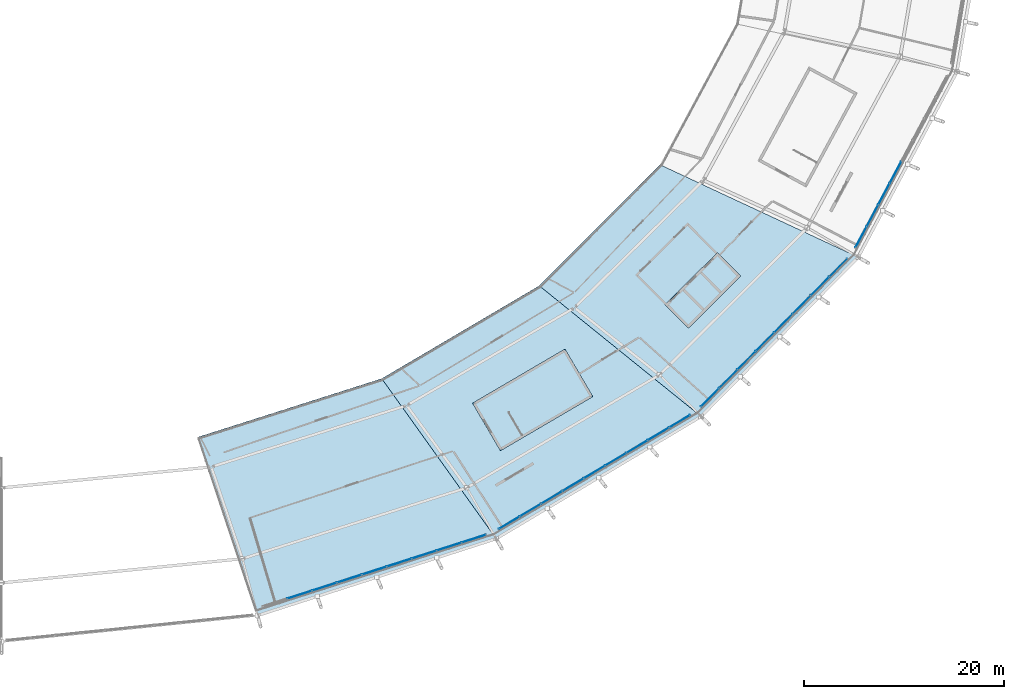
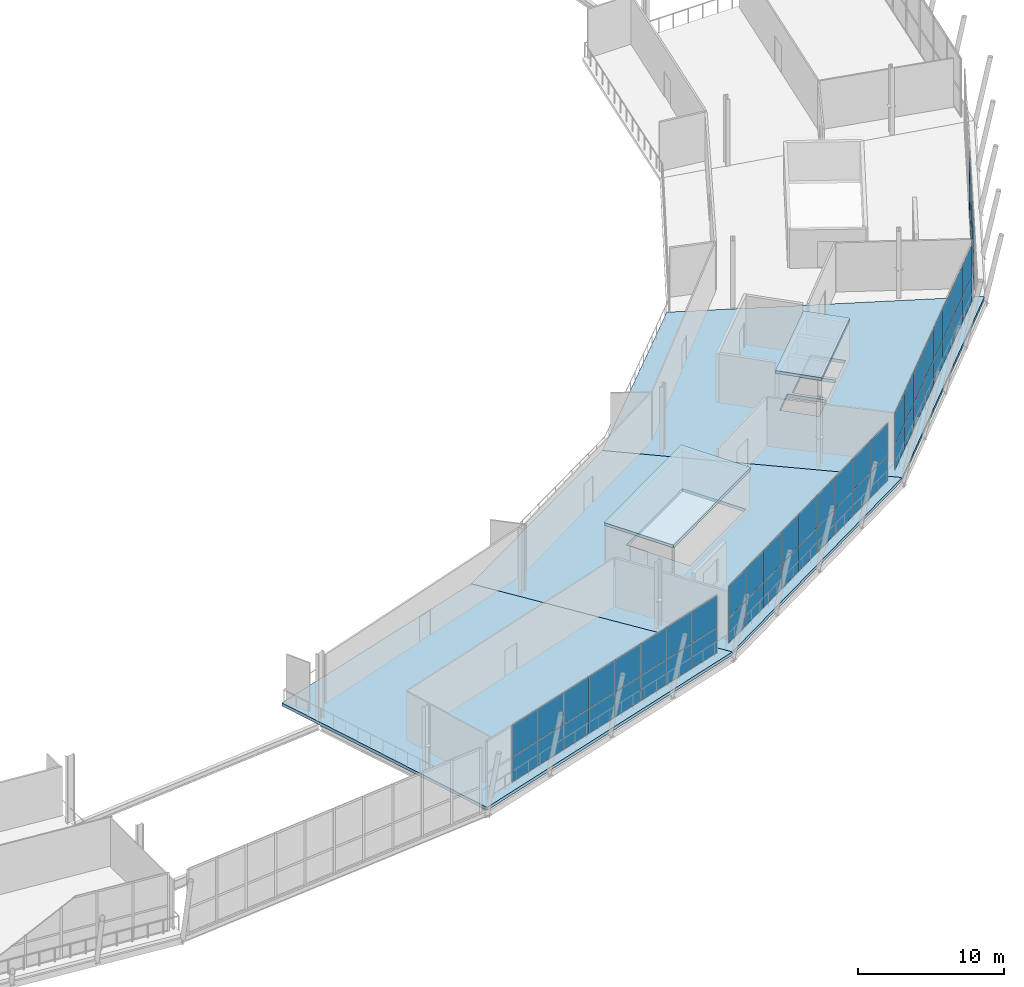
# One storey, part 57 of 99: 58 plates, 5 slabs, 4 elements without a shape of their own.
"""IFC4 building model written with IfcOpenShell, lengths in metres."""

import ifcopenshell
import ifcopenshell.guid

model = None  # the IFC model being written
_history = None  # IfcOwnerHistory: only IFC2X3 demands one
_inside = {}  # id of a spatial element -> (the spatial element, [elements in it])
_under = {}  # id of a project, library or spatial element -> (it, [spatial elements below it])
_declared = {}  # id of a project -> (the project, [libraries it declares])
_typed = {}  # id of a type object -> (the type object, [elements of that type])
_made_of = {}  # id of a material, layer set ... -> (it, [elements and type objects made of it])


def new_model(schema):
    """Start an empty IFC model of exactly this schema.

    Asked for "IFC4X3", IfcOpenShell would pick the latest addendum, in which some entities
    have other attributes; the version numbers below select the first issue.
    IFC2X3 requires an IfcOwnerHistory on every rooted entity: one is made here for all.
    """
    global model, _history
    if schema == "IFC4X3":
        model = ifcopenshell.file(schema_version=(4, 3, 0, 0))
    else:
        model = ifcopenshell.file(schema=schema)
    _inside.clear()
    _under.clear()
    _declared.clear()
    _typed.clear()
    _made_of.clear()
    _history = None
    if model.schema == "IFC2X3":
        org = make("IfcOrganization", Name="unknown")
        user = make(
            "IfcPersonAndOrganization",
            ThePerson=make("IfcPerson", FamilyName="unknown"),
            TheOrganization=org,
        )
        app = make(
            "IfcApplication",
            ApplicationDeveloper=org,
            Version="unknown",
            ApplicationFullName="unknown",
            ApplicationIdentifier="unknown",
        )
        _history = make(
            "IfcOwnerHistory",
            OwningUser=user,
            OwningApplication=app,
            ChangeAction="ADDED",
            CreationDate=0,
        )
    return model


def make(cls, **values):
    """One entity of the class cls with the attributes given. An attribute that is None is left unset."""
    return model.create_entity(
        cls, **{name: value for name, value in values.items() if value is not None}
    )


def rooted(cls, **values):
    """An entity with a GlobalId (a new one), such as an element, a storey or a relation."""
    return make(cls, GlobalId=ifcopenshell.guid.new(), OwnerHistory=_history, **values)


def si_unit(unit_type, name, prefix=None):
    """IfcSIUnit, for example si_unit("LENGTHUNIT", "METRE", prefix="MILLI")."""
    return make("IfcSIUnit", UnitType=unit_type, Prefix=prefix, Name=name)


def assignment(units):
    """IfcUnitAssignment: the units of a project."""
    return None if units is None else make("IfcUnitAssignment", Units=units)


def point(xyz):
    """IfcCartesianPoint."""
    return None if xyz is None else make("IfcCartesianPoint", Coordinates=xyz)


def direction(xyz):
    """IfcDirection."""
    return None if xyz is None else make("IfcDirection", DirectionRatios=xyz)


def frame(location, z_axis=None, x_axis=None):
    """IfcAxis2Placement3D, a coordinate frame: its origin and axes. An axis left out is left unset."""
    return make(
        "IfcAxis2Placement3D",
        Location=point(location),
        Axis=direction(z_axis),
        RefDirection=direction(x_axis),
    )


def frame_2d(location, x_axis=None):
    """IfcAxis2Placement2D, a coordinate frame in the plane: its origin and x axis."""
    return make(
        "IfcAxis2Placement2D", Location=point(location), RefDirection=direction(x_axis)
    )


def origin():
    """The frame at (0, 0, 0) with its axes left unset."""
    return frame((0.0, 0.0, 0.0))


def origin_2d():
    """The frame at (0, 0) in the plane with its x axis left unset."""
    return frame_2d((0.0, 0.0))


def place(relative_to, where):
    """IfcLocalPlacement: puts the frame where relative to a parent placement (None: the world)."""
    return make(
        "IfcLocalPlacement", PlacementRelTo=relative_to, RelativePlacement=where
    )


def context(
    kind, dimensions, precision=None, world=None, true_north=None, identifier=None
):
    """IfcGeometricRepresentationContext, for example the 3D "Model" context."""
    return make(
        "IfcGeometricRepresentationContext",
        ContextIdentifier=identifier,
        ContextType=kind,
        CoordinateSpaceDimension=dimensions,
        Precision=precision,
        WorldCoordinateSystem=world,
        TrueNorth=true_north,
    )


def subcontext(parent, identifier, kind, view, scale=None):
    """IfcGeometricRepresentationSubContext, for example "Body" below "Model"."""
    return make(
        "IfcGeometricRepresentationSubContext",
        ContextIdentifier=identifier,
        ContextType=kind,
        ParentContext=parent,
        TargetScale=scale,
        TargetView=view,
    )


def project(units=None, contexts=None):
    """IfcProject with its units and contexts."""
    return rooted(
        "IfcProject",
        Name="project",
        RepresentationContexts=contexts,
        UnitsInContext=assignment(units),
    )


def spatial(cls, under=None, at=None, **own):
    """A site, building, storey or space (cls), placed at a placement, below another one or the project."""
    s = rooted(cls, ObjectPlacement=at, **own)
    if under is not None:
        _under.setdefault(under.id(), (under, []))[1].append(s)
    return s


def polyline(points):
    """IfcPolyline through the points."""
    return make("IfcPolyline", Points=[point(p) for p in points])


def profile(cls, at=None, kind="AREA", **sizes):
    """A parametric profile (cls). Its sizes go by their IFC names, for example OverallWidth=200.0."""
    return make(cls, ProfileType=kind, Position=at, **sizes)


def rectangle(**sizes):
    """IfcRectangleProfileDef."""
    return profile("IfcRectangleProfileDef", **sizes)


def outline(outer, holes=None, kind="AREA"):
    """IfcArbitraryClosedProfileDef: a profile drawn as a closed curve; with holes, ...WithVoids."""
    if holes is None:
        return make("IfcArbitraryClosedProfileDef", ProfileType=kind, OuterCurve=outer)
    return make(
        "IfcArbitraryProfileDefWithVoids",
        ProfileType=kind,
        OuterCurve=outer,
        InnerCurves=holes,
    )


def extrude(swept, where, along, depth):
    """IfcExtrudedAreaSolid: the profile swept, set in the frame where, extruded along a direction by depth."""
    return make(
        "IfcExtrudedAreaSolid",
        SweptArea=swept,
        Position=where,
        ExtrudedDirection=direction(along),
        Depth=depth,
    )


def shape(context_of_items, identifier, shape_type, items):
    """IfcShapeRepresentation: the items that make up one representation, for example the "Body"."""
    return make(
        "IfcShapeRepresentation",
        ContextOfItems=context_of_items,
        RepresentationIdentifier=identifier,
        RepresentationType=shape_type,
        Items=items,
    )


def material(Name=None, Category=None):
    """IfcMaterial."""
    return make("IfcMaterial", Name=Name, Category=Category)


def layer(
    of_material, thickness, ventilated=None, Name=None, Category=None, Priority=None
):
    """IfcMaterialLayer: one layer of a wall or slab, of a material (None: an air gap)."""
    return make(
        "IfcMaterialLayer",
        Material=of_material,
        LayerThickness=thickness,
        IsVentilated=ventilated,
        Name=Name,
        Category=Category,
        Priority=Priority,
    )


def layer_set(layers, Name=None):
    """IfcMaterialLayerSet."""
    return make("IfcMaterialLayerSet", MaterialLayers=layers, LayerSetName=Name)


def made_of(thing, what):
    """Note that an element or type object is made of a material, layer set ...; save() writes the relation."""
    if what is not None:
        _made_of.setdefault(what.id(), (what, []))[1].append(thing)
    return thing


def type_object(cls, material=None, **own):
    """A type object (cls), such as IfcWallType, which elements share."""
    return made_of(rooted(cls, **own), material)


def element(
    cls,
    number,
    at=None,
    inside=None,
    cuts=None,
    type_object=None,
    material=None,
    context=None,
    identifier="Body",
    shape_type=None,
    held_by="IfcProductDefinitionShape",
    body=None,
    shapes=None,
    **own,
):
    """One element of the class cls, such as IfcWall. Its Tag is "e" and its number.

    at: its placement. inside: the storey or other place that contains it. cuts: it is an
    opening in that element (IfcRelVoidsElement). A single representation is given by context,
    identifier, shape_type and body (its items); several are given by shapes. held_by: the class
    of the entity that holds the representations. save() writes the other relations.
    """
    e = rooted(cls, Tag="e%d" % number, ObjectPlacement=at, **own)
    if body is not None:
        shapes = [shape(context, identifier, shape_type, body)]
    if shapes is not None:
        e.Representation = make(held_by, Representations=shapes)
    if inside is not None:
        _inside.setdefault(inside.id(), (inside, []))[1].append(e)
    if cuts is not None:
        rooted(
            "IfcRelVoidsElement", RelatingBuildingElement=cuts, RelatedOpeningElement=e
        )
    if type_object is not None:
        _typed.setdefault(type_object.id(), (type_object, []))[1].append(e)
    return made_of(e, material)


def aggregate(whole, parts):
    """IfcRelAggregates: a whole, such as a stair, and the parts it consists of."""
    return rooted("IfcRelAggregates", RelatingObject=whole, RelatedObjects=parts)


def save(model, path):
    """Write the relations noted so far, then the file.

    IfcRelAggregates (storeys below a building ...), IfcRelContainedInSpatialStructure (elements
    in a storey), IfcRelDefinesByType, IfcRelAssociatesMaterial and IfcRelDeclares: one each for
    every whole, place, type object, material and project.
    """
    for whole, parts in _under.values():
        aggregate(whole, parts)
    for where, things in _inside.values():
        rooted(
            "IfcRelContainedInSpatialStructure",
            RelatedElements=things,
            RelatingStructure=where,
        )
    for kind, things in _typed.values():
        rooted("IfcRelDefinesByType", RelatedObjects=things, RelatingType=kind)
    for what, things in _made_of.values():
        rooted("IfcRelAssociatesMaterial", RelatedObjects=things, RelatingMaterial=what)
    for by, libraries in _declared.values():
        rooted("IfcRelDeclares", RelatingContext=by, RelatedDefinitions=libraries)
    model.write(path)


model = new_model("IFC4")

# Units and contexts
model_context = context("Model", 3, precision=1e-05, world=origin(), true_north=direction((0.0, 1.0)))
body_context = subcontext(model_context, "Body", "Model", "MODEL_VIEW")
ifc_project = project(units=[si_unit("LENGTHUNIT", "METRE"), si_unit("AREAUNIT", "SQUARE_METRE"), si_unit("VOLUMEUNIT", "CUBIC_METRE"), si_unit("PLANEANGLEUNIT", "RADIAN"), si_unit("MASSUNIT", "GRAM", prefix="KILO")], contexts=[model_context])

# Site, building, storey
site_placement = place(None, origin())
site = spatial("IfcSite", under=ifc_project, at=site_placement, CompositionType="ELEMENT")
building_placement = place(site_placement, origin())
building = spatial("IfcBuilding", under=site, at=building_placement, Name="Zlatoyarsky Gate Stadium", CompositionType="ELEMENT")
storey_placement = place(building_placement, frame((0.0, 0.0, 26.199951171875)))
storey = spatial("IfcBuildingStorey", under=building, at=storey_placement, Name="L05", CompositionType="ELEMENT", Elevation=26.199951171875)

# Slabs
ifc_material_1 = material(Name="Concrete C40/50", Category="concrete")
ifc_layer_1 = layer(ifc_material_1, 0.239990234375)
ifc_layer_set_1 = layer_set([ifc_layer_1], Name="Concrete C40/50")
slab_type_1 = type_object("IfcSlabType", Name="CONCRETE CORE TOP CAP SLAB 240", PredefinedType="ROOF", material=ifc_layer_set_1)
slab_1_placement = place(storey_placement, frame((0.0, 0.0, 3.199951171875)))
element("IfcSlab", 1, at=slab_1_placement, inside=storey, type_object=slab_type_1, Name="ST-11 stair headhouse roof cap", PredefinedType="ROOF", context=body_context, shape_type="SweptSolid", body=[
    extrude(outline(polyline([(160.8623046875, 22.215087890625), (170.0947265625, 27.62353515625), (167.314697265625, 32.369140625), (158.082275390625, 26.960693359375), (160.8623046875, 22.215087890625)])), origin(), (0.0, 0.0, 1.0), 0.239990234375),
])
slab_2_placement = place(storey_placement, frame((0.0, 0.0, 3.199951171875)))
element("IfcSlab", 2, at=slab_2_placement, inside=storey, type_object=slab_type_1, Name="C4 lift overrun top cap slab", PredefinedType="ROOF", context=body_context, shape_type="SweptSolid", body=[
    extrude(outline(polyline([(179.642333984375, 34.460693359375), (184.88818359375, 39.679931640625), (182.560791015625, 42.019287109375), (177.314697265625, 36.800048828125), (179.642333984375, 34.460693359375)])), origin(), (0.0, 0.0, 1.0), 0.239990234375),
])
ifc_layer_2 = layer(ifc_material_1, 0.260009765625)
ifc_layer_set_2 = layer_set([ifc_layer_2], Name="Concrete C40/50")
slab_type_2 = type_object("IfcSlabType", Name="CONCRETE SKYBOX SLAB 260", PredefinedType="FLOOR", material=ifc_layer_set_2)
slab_3_placement = place(storey_placement, frame((0.0, 0.0, -0.260009765625)))
element("IfcSlab", 3, at=slab_3_placement, inside=storey, type_object=slab_type_2, Name="L05 bowl sector 19 slab", PredefinedType="FLOOR", context=body_context, shape_type="SweptSolid", body=[
    extrude(outline(polyline([(149.0, 29.424072265625), (160.439208984375, 13.421630859375), (136.591552734375, 5.741455078125), (130.670166015625, 23.58984375), (149.0, 29.424072265625)])), origin(), (0.0, 0.0, 1.0), 0.260009765625),
])
slab_4_placement = place(storey_placement, frame((0.0, 0.0, -0.260009765625)))
element("IfcSlab", 4, at=slab_4_placement, inside=storey, type_object=slab_type_2, Name="L05 bowl sector 20 slab", PredefinedType="FLOOR", context=body_context, shape_type="SweptSolid", body=[
    extrude(outline(polyline([(164.739990234375, 38.705078125), (180.91748046875, 25.638916015625), (160.439208984375, 13.421630859375), (149.0, 29.424072265625), (164.739990234375, 38.705078125)]), holes=[polyline([(169.752685546875, 27.712890625), (167.225341796875, 32.027099609375), (160.538330078125, 28.10986328125), (163.065673828125, 23.795654296875), (169.752685546875, 27.712890625)])]), origin(), (0.0, 0.0, 1.0), 0.260009765625),
])
slab_5_placement = place(storey_placement, frame((0.0, 0.0, -0.260009765625)))
element("IfcSlab", 5, at=slab_5_placement, inside=storey, type_object=slab_type_2, Name="L05 bowl sector 21 slab", PredefinedType="FLOOR", context=body_context, shape_type="SweptSolid", body=[
    extrude(outline(polyline([(176.81787109375, 50.800048828125), (196.630859375, 41.560791015625), (180.91748046875, 25.638916015625), (164.739990234375, 38.705078125), (176.81787109375, 50.800048828125)]), holes=[polyline([(181.06103515625, 36.224853515625), (179.086181640625, 38.209716796875), (177.668212890625, 36.799072265625), (179.643310546875, 34.814208984375), (181.06103515625, 36.224853515625)]), polyline([(182.7978515625, 37.952880859375), (181.034423828125, 39.72509765625), (179.47509765625, 38.17333984375), (181.23828125, 36.401123046875), (182.7978515625, 37.952880859375)]), polyline([(182.97509765625, 38.129150390625), (184.53466796875, 39.680908203125), (182.771240234375, 41.452880859375), (181.2119140625, 39.9013671875), (182.97509765625, 38.129150390625)])]), origin(), (0.0, 0.0, 1.0), 0.260009765625),
])

# Curtain wall, plates
ifc_material_2 = material(Name="Thermally broken anodised aluminium curtain wall", Category="aluminium")
curtain_wall_type = type_object("IfcCurtainWallType", Name="UNITISED SKYBOX RING GLAZING L05", PredefinedType="USERDEFINED", material=ifc_material_2)
curtain_wall_1_placement = place(storey_placement, origin())
curtain_wall_1 = element("IfcCurtainWall", 6, at=curtain_wall_1_placement, inside=storey, type_object=curtain_wall_type, Name="Curtain wall CW-L05-19", ObjectType="UNITISED GLAZING", PredefinedType="USERDEFINED")
ifc_material_3 = material(Name="Triple-glazed argon low-e architectural glass", Category="glass")
ifc_layer_3 = layer(ifc_material_3, 0.0380859375)
ifc_layer_set_3 = layer_set([ifc_layer_3], Name="Triple-glazed argon low-e architectural glass")
plate_type = type_object("IfcPlateType", Name="TRIPLE GLAZED LOW E CURTAIN PANEL 38", PredefinedType="CURTAIN_PANEL", material=ifc_layer_set_3)
plate_1_placement = place(storey_placement, frame((140.769287109375, 7.818603515625, 0.06494140625), z_axis=(0.0, 0.0, 1.0), x_axis=(0.952038580657, 0.305978007283, 0.0)))
plate_1 = element("IfcPlate", 7, at=plate_1_placement, type_object=plate_type, Name="CW-UG5 panel 2.1", PredefinedType="CURTAIN_PANEL", context=body_context, shape_type="SweptSolid", body=[
    extrude(rectangle(XDim=2.553955078125, YDim=0.0380859375, at=origin_2d()), origin(), (0.0, 0.0, 1.0), 2.052490234375),
])
plate_2_placement = place(storey_placement, frame((140.769287109375, 7.818603515625, 2.1826171875), z_axis=(0.0, 0.0, 1.0), x_axis=(0.952038580657, 0.305978007283, 0.0)))
plate_2 = element("IfcPlate", 8, at=plate_2_placement, type_object=plate_type, Name="CW-UG5 panel 2.2", PredefinedType="CURTAIN_PANEL", context=body_context, shape_type="SweptSolid", body=[
    extrude(rectangle(XDim=2.553955078125, YDim=0.0380859375, at=origin_2d()), origin(), (0.0, 0.0, 1.0), 2.632568359375),
])
plate_3_placement = place(storey_placement, frame((143.262939453125, 8.619873046875, 0.06494140625), z_axis=(0.0, 0.0, 1.0), x_axis=(0.952038580657, 0.305978007283, 0.0)))
plate_3 = element("IfcPlate", 9, at=plate_3_placement, type_object=plate_type, Name="CW-UG5 panel 3.1", PredefinedType="CURTAIN_PANEL", context=body_context, shape_type="SweptSolid", body=[
    extrude(rectangle(XDim=2.553955078125, YDim=0.0380859375, at=origin_2d()), origin(), (0.0, 0.0, 1.0), 2.052490234375),
])
plate_4_placement = place(storey_placement, frame((143.262939453125, 8.619873046875, 2.1826171875), z_axis=(0.0, 0.0, 1.0), x_axis=(0.952038580657, 0.305978007283, 0.0)))
plate_4 = element("IfcPlate", 10, at=plate_4_placement, type_object=plate_type, Name="CW-UG5 panel 3.2", PredefinedType="CURTAIN_PANEL", context=body_context, shape_type="SweptSolid", body=[
    extrude(rectangle(XDim=2.553955078125, YDim=0.0380859375, at=origin_2d()), origin(), (0.0, 0.0, 1.0), 2.632568359375),
])
plate_5_placement = place(storey_placement, frame((145.75634765625, 9.42138671875, 0.06494140625), z_axis=(0.0, 0.0, 1.0), x_axis=(0.952038580657, 0.305978007283, 0.0)))
plate_5 = element("IfcPlate", 11, at=plate_5_placement, type_object=plate_type, Name="CW-UG5 panel 4.1", PredefinedType="CURTAIN_PANEL", context=body_context, shape_type="SweptSolid", body=[
    extrude(rectangle(XDim=2.553955078125, YDim=0.0380859375, at=origin_2d()), origin(), (0.0, 0.0, 1.0), 2.052490234375),
])
plate_6_placement = place(storey_placement, frame((145.75634765625, 9.42138671875, 2.1826171875), z_axis=(0.0, 0.0, 1.0), x_axis=(0.952038580657, 0.305978007283, 0.0)))
plate_6 = element("IfcPlate", 12, at=plate_6_placement, type_object=plate_type, Name="CW-UG5 panel 4.2", PredefinedType="CURTAIN_PANEL", context=body_context, shape_type="SweptSolid", body=[
    extrude(rectangle(XDim=2.553955078125, YDim=0.0380859375, at=origin_2d()), origin(), (0.0, 0.0, 1.0), 2.632568359375),
])
plate_7_placement = place(storey_placement, frame((148.249755859375, 10.22265625, 0.06494140625), z_axis=(0.0, 0.0, 1.0), x_axis=(0.952038580657, 0.305978007283, 0.0)))
plate_7 = element("IfcPlate", 13, at=plate_7_placement, type_object=plate_type, Name="CW-UG5 panel 5.1", PredefinedType="CURTAIN_PANEL", context=body_context, shape_type="SweptSolid", body=[
    extrude(rectangle(XDim=2.553955078125, YDim=0.0380859375, at=origin_2d()), origin(), (0.0, 0.0, 1.0), 2.052490234375),
])
plate_8_placement = place(storey_placement, frame((148.249755859375, 10.22265625, 2.1826171875), z_axis=(0.0, 0.0, 1.0), x_axis=(0.952038580657, 0.305978007283, 0.0)))
plate_8 = element("IfcPlate", 14, at=plate_8_placement, type_object=plate_type, Name="CW-UG5 panel 5.2", PredefinedType="CURTAIN_PANEL", context=body_context, shape_type="SweptSolid", body=[
    extrude(rectangle(XDim=2.553955078125, YDim=0.0380859375, at=origin_2d()), origin(), (0.0, 0.0, 1.0), 2.632568359375),
])
plate_9_placement = place(storey_placement, frame((150.7431640625, 11.024169921875, 0.06494140625), z_axis=(0.0, 0.0, 1.0), x_axis=(0.952038580657, 0.305978007283, 0.0)))
plate_9 = element("IfcPlate", 15, at=plate_9_placement, type_object=plate_type, Name="CW-UG5 panel 6.1", PredefinedType="CURTAIN_PANEL", context=body_context, shape_type="SweptSolid", body=[
    extrude(rectangle(XDim=2.553955078125, YDim=0.0380859375, at=origin_2d()), origin(), (0.0, 0.0, 1.0), 2.052490234375),
])
plate_10_placement = place(storey_placement, frame((150.7431640625, 11.024169921875, 2.1826171875), z_axis=(0.0, 0.0, 1.0), x_axis=(0.952038580657, 0.305978007283, 0.0)))
plate_10 = element("IfcPlate", 16, at=plate_10_placement, type_object=plate_type, Name="CW-UG5 panel 6.2", PredefinedType="CURTAIN_PANEL", context=body_context, shape_type="SweptSolid", body=[
    extrude(rectangle(XDim=2.553955078125, YDim=0.0380859375, at=origin_2d()), origin(), (0.0, 0.0, 1.0), 2.632568359375),
])
plate_11_placement = place(storey_placement, frame((153.236572265625, 11.825439453125, 0.06494140625), z_axis=(0.0, 0.0, 1.0), x_axis=(0.952038580657, 0.305978007283, 0.0)))
plate_11 = element("IfcPlate", 17, at=plate_11_placement, type_object=plate_type, Name="CW-UG5 panel 7.1", PredefinedType="CURTAIN_PANEL", context=body_context, shape_type="SweptSolid", body=[
    extrude(rectangle(XDim=2.553955078125, YDim=0.0380859375, at=origin_2d()), origin(), (0.0, 0.0, 1.0), 2.052490234375),
])
plate_12_placement = place(storey_placement, frame((153.236572265625, 11.825439453125, 2.1826171875), z_axis=(0.0, 0.0, 1.0), x_axis=(0.952038580657, 0.305978007283, 0.0)))
plate_12 = element("IfcPlate", 18, at=plate_12_placement, type_object=plate_type, Name="CW-UG5 panel 7.2", PredefinedType="CURTAIN_PANEL", context=body_context, shape_type="SweptSolid", body=[
    extrude(rectangle(XDim=2.553955078125, YDim=0.0380859375, at=origin_2d()), origin(), (0.0, 0.0, 1.0), 2.632568359375),
])
plate_13_placement = place(storey_placement, frame((155.730224609375, 12.626953125, 0.06494140625), z_axis=(0.0, 0.0, 1.0), x_axis=(0.952038580657, 0.305978007283, 0.0)))
plate_13 = element("IfcPlate", 19, at=plate_13_placement, type_object=plate_type, Name="CW-UG5 panel 8.1", PredefinedType="CURTAIN_PANEL", context=body_context, shape_type="SweptSolid", body=[
    extrude(rectangle(XDim=2.553955078125, YDim=0.0380859375, at=origin_2d()), origin(), (0.0, 0.0, 1.0), 2.052490234375),
])
plate_14_placement = place(storey_placement, frame((155.730224609375, 12.626953125, 2.1826171875), z_axis=(0.0, 0.0, 1.0), x_axis=(0.952038580657, 0.305978007283, 0.0)))
plate_14 = element("IfcPlate", 20, at=plate_14_placement, type_object=plate_type, Name="CW-UG5 panel 8.2", PredefinedType="CURTAIN_PANEL", context=body_context, shape_type="SweptSolid", body=[
    extrude(rectangle(XDim=2.553955078125, YDim=0.0380859375, at=origin_2d()), origin(), (0.0, 0.0, 1.0), 2.632568359375),
])
plate_15_placement = place(storey_placement, frame((158.2080078125, 13.42333984375, 0.06494140625), z_axis=(0.0, 0.0, 1.0), x_axis=(0.952038580657, 0.305978007283, 0.0)))
plate_15 = element("IfcPlate", 21, at=plate_15_placement, type_object=plate_type, Name="CW-UG5 panel 9.1", PredefinedType="CURTAIN_PANEL", context=body_context, shape_type="SweptSolid", body=[
    extrude(rectangle(XDim=2.521484375, YDim=0.0380859375, at=origin_2d()), origin(), (0.0, 0.0, 1.0), 2.052490234375),
])
plate_16_placement = place(storey_placement, frame((158.2080078125, 13.42333984375, 2.1826171875), z_axis=(0.0, 0.0, 1.0), x_axis=(0.952038580657, 0.305978007283, 0.0)))
plate_16 = element("IfcPlate", 22, at=plate_16_placement, type_object=plate_type, Name="CW-UG5 panel 9.2", PredefinedType="CURTAIN_PANEL", context=body_context, shape_type="SweptSolid", body=[
    extrude(rectangle(XDim=2.521484375, YDim=0.0380859375, at=origin_2d()), origin(), (0.0, 0.0, 1.0), 2.632568359375),
])
aggregate(curtain_wall_1, [plate_1, plate_2, plate_3, plate_4, plate_5, plate_6, plate_7, plate_8, plate_9, plate_10, plate_11, plate_12, plate_13, plate_14, plate_15, plate_16])

curtain_wall_2_placement = place(storey_placement, origin())
curtain_wall_2 = element("IfcCurtainWall", 23, at=curtain_wall_2_placement, inside=storey, type_object=curtain_wall_type, Name="Curtain wall CW-L05-20", ObjectType="UNITISED GLAZING", PredefinedType="USERDEFINED")
plate_17_placement = place(storey_placement, frame((161.729248046875, 15.004150390625, 0.06494140625), z_axis=(0.0, 0.0, 1.0), x_axis=(0.859237337802, 0.511577166542, 0.0)))
plate_17 = element("IfcPlate", 24, at=plate_17_placement, type_object=plate_type, Name="CW-UG5 panel 1.1", PredefinedType="CURTAIN_PANEL", context=body_context, shape_type="SweptSolid", body=[
    extrude(rectangle(XDim=2.387451171875, YDim=0.0380859375, at=origin_2d()), origin(), (0.0, 0.0, 1.0), 2.052490234375),
])
plate_18_placement = place(storey_placement, frame((161.729248046875, 15.004150390625, 2.1826171875), z_axis=(0.0, 0.0, 1.0), x_axis=(0.859237337802, 0.511577166542, 0.0)))
plate_18 = element("IfcPlate", 25, at=plate_18_placement, type_object=plate_type, Name="CW-UG5 panel 1.2", PredefinedType="CURTAIN_PANEL", context=body_context, shape_type="SweptSolid", body=[
    extrude(rectangle(XDim=2.387451171875, YDim=0.0380859375, at=origin_2d()), origin(), (0.0, 0.0, 1.0), 2.632568359375),
])
plate_19_placement = place(storey_placement, frame((163.850341796875, 16.26708984375, 0.06494140625), z_axis=(0.0, 0.0, 1.0), x_axis=(0.859237337802, 0.511577166542, 0.0)))
plate_19 = element("IfcPlate", 26, at=plate_19_placement, type_object=plate_type, Name="CW-UG5 panel 2.1", PredefinedType="CURTAIN_PANEL", context=body_context, shape_type="SweptSolid", body=[
    extrude(rectangle(XDim=2.419921875, YDim=0.0380859375, at=origin_2d()), origin(), (0.0, 0.0, 1.0), 2.052490234375),
])
plate_20_placement = place(storey_placement, frame((163.850341796875, 16.26708984375, 2.1826171875), z_axis=(0.0, 0.0, 1.0), x_axis=(0.859237337802, 0.511577166542, 0.0)))
plate_20 = element("IfcPlate", 27, at=plate_20_placement, type_object=plate_type, Name="CW-UG5 panel 2.2", PredefinedType="CURTAIN_PANEL", context=body_context, shape_type="SweptSolid", body=[
    extrude(rectangle(XDim=2.419921875, YDim=0.0380859375, at=origin_2d()), origin(), (0.0, 0.0, 1.0), 2.632568359375),
])
plate_21_placement = place(storey_placement, frame((165.9853515625, 17.538330078125, 0.06494140625), z_axis=(0.0, 0.0, 1.0), x_axis=(0.859237337802, 0.511577166542, 0.0)))
plate_21 = element("IfcPlate", 28, at=plate_21_placement, type_object=plate_type, Name="CW-UG5 panel 3.1", PredefinedType="CURTAIN_PANEL", context=body_context, shape_type="SweptSolid", body=[
    extrude(rectangle(XDim=2.419921875, YDim=0.0380859375, at=origin_2d()), origin(), (0.0, 0.0, 1.0), 2.052490234375),
])
plate_22_placement = place(storey_placement, frame((165.9853515625, 17.538330078125, 2.1826171875), z_axis=(0.0, 0.0, 1.0), x_axis=(0.859237337802, 0.511577166542, 0.0)))
plate_22 = element("IfcPlate", 29, at=plate_22_placement, type_object=plate_type, Name="CW-UG5 panel 3.2", PredefinedType="CURTAIN_PANEL", context=body_context, shape_type="SweptSolid", body=[
    extrude(rectangle(XDim=2.419921875, YDim=0.0380859375, at=origin_2d()), origin(), (0.0, 0.0, 1.0), 2.632568359375),
])
plate_23_placement = place(storey_placement, frame((168.12060546875, 18.8095703125, 0.06494140625), z_axis=(0.0, 0.0, 1.0), x_axis=(0.859237337802, 0.511577166542, 0.0)))
plate_23 = element("IfcPlate", 30, at=plate_23_placement, type_object=plate_type, Name="CW-UG5 panel 4.1", PredefinedType="CURTAIN_PANEL", context=body_context, shape_type="SweptSolid", body=[
    extrude(rectangle(XDim=2.419921875, YDim=0.0380859375, at=origin_2d()), origin(), (0.0, 0.0, 1.0), 2.052490234375),
])
plate_24_placement = place(storey_placement, frame((168.12060546875, 18.8095703125, 2.1826171875), z_axis=(0.0, 0.0, 1.0), x_axis=(0.859237337802, 0.511577166542, 0.0)))
plate_24 = element("IfcPlate", 31, at=plate_24_placement, type_object=plate_type, Name="CW-UG5 panel 4.2", PredefinedType="CURTAIN_PANEL", context=body_context, shape_type="SweptSolid", body=[
    extrude(rectangle(XDim=2.419921875, YDim=0.0380859375, at=origin_2d()), origin(), (0.0, 0.0, 1.0), 2.632568359375),
])
plate_25_placement = place(storey_placement, frame((170.255859375, 20.080810546875, 0.06494140625), z_axis=(0.0, 0.0, 1.0), x_axis=(0.859237337802, 0.511577166542, 0.0)))
plate_25 = element("IfcPlate", 32, at=plate_25_placement, type_object=plate_type, Name="CW-UG5 panel 5.1", PredefinedType="CURTAIN_PANEL", context=body_context, shape_type="SweptSolid", body=[
    extrude(rectangle(XDim=2.419921875, YDim=0.0380859375, at=origin_2d()), origin(), (0.0, 0.0, 1.0), 2.052490234375),
])
plate_26_placement = place(storey_placement, frame((170.255859375, 20.080810546875, 2.1826171875), z_axis=(0.0, 0.0, 1.0), x_axis=(0.859237337802, 0.511577166542, 0.0)))
plate_26 = element("IfcPlate", 33, at=plate_26_placement, type_object=plate_type, Name="CW-UG5 panel 5.2", PredefinedType="CURTAIN_PANEL", context=body_context, shape_type="SweptSolid", body=[
    extrude(rectangle(XDim=2.419921875, YDim=0.0380859375, at=origin_2d()), origin(), (0.0, 0.0, 1.0), 2.632568359375),
])
plate_27_placement = place(storey_placement, frame((172.390869140625, 21.35205078125, 0.06494140625), z_axis=(0.0, 0.0, 1.0), x_axis=(0.859237337802, 0.511577166542, 0.0)))
plate_27 = element("IfcPlate", 34, at=plate_27_placement, type_object=plate_type, Name="CW-UG5 panel 6.1", PredefinedType="CURTAIN_PANEL", context=body_context, shape_type="SweptSolid", body=[
    extrude(rectangle(XDim=2.419921875, YDim=0.0380859375, at=origin_2d()), origin(), (0.0, 0.0, 1.0), 2.052490234375),
])
plate_28_placement = place(storey_placement, frame((172.390869140625, 21.35205078125, 2.1826171875), z_axis=(0.0, 0.0, 1.0), x_axis=(0.859237337802, 0.511577166542, 0.0)))
plate_28 = element("IfcPlate", 35, at=plate_28_placement, type_object=plate_type, Name="CW-UG5 panel 6.2", PredefinedType="CURTAIN_PANEL", context=body_context, shape_type="SweptSolid", body=[
    extrude(rectangle(XDim=2.419921875, YDim=0.0380859375, at=origin_2d()), origin(), (0.0, 0.0, 1.0), 2.632568359375),
])
plate_29_placement = place(storey_placement, frame((174.526123046875, 22.623291015625, 0.06494140625), z_axis=(0.0, 0.0, 1.0), x_axis=(0.859237337802, 0.511577166542, 0.0)))
plate_29 = element("IfcPlate", 36, at=plate_29_placement, type_object=plate_type, Name="CW-UG5 panel 7.1", PredefinedType="CURTAIN_PANEL", context=body_context, shape_type="SweptSolid", body=[
    extrude(rectangle(XDim=2.419921875, YDim=0.0380859375, at=origin_2d()), origin(), (0.0, 0.0, 1.0), 2.052490234375),
])
plate_30_placement = place(storey_placement, frame((174.526123046875, 22.623291015625, 2.1826171875), z_axis=(0.0, 0.0, 1.0), x_axis=(0.859237337802, 0.511577166542, 0.0)))
plate_30 = element("IfcPlate", 37, at=plate_30_placement, type_object=plate_type, Name="CW-UG5 panel 7.2", PredefinedType="CURTAIN_PANEL", context=body_context, shape_type="SweptSolid", body=[
    extrude(rectangle(XDim=2.419921875, YDim=0.0380859375, at=origin_2d()), origin(), (0.0, 0.0, 1.0), 2.632568359375),
])
plate_31_placement = place(storey_placement, frame((176.6611328125, 23.89453125, 0.06494140625), z_axis=(0.0, 0.0, 1.0), x_axis=(0.859237337802, 0.511577166542, 0.0)))
plate_31 = element("IfcPlate", 38, at=plate_31_placement, type_object=plate_type, Name="CW-UG5 panel 8.1", PredefinedType="CURTAIN_PANEL", context=body_context, shape_type="SweptSolid", body=[
    extrude(rectangle(XDim=2.419921875, YDim=0.0380859375, at=origin_2d()), origin(), (0.0, 0.0, 1.0), 2.052490234375),
])
plate_32_placement = place(storey_placement, frame((176.6611328125, 23.89453125, 2.1826171875), z_axis=(0.0, 0.0, 1.0), x_axis=(0.859237337802, 0.511577166542, 0.0)))
plate_32 = element("IfcPlate", 39, at=plate_32_placement, type_object=plate_type, Name="CW-UG5 panel 8.2", PredefinedType="CURTAIN_PANEL", context=body_context, shape_type="SweptSolid", body=[
    extrude(rectangle(XDim=2.419921875, YDim=0.0380859375, at=origin_2d()), origin(), (0.0, 0.0, 1.0), 2.632568359375),
])
plate_33_placement = place(storey_placement, frame((178.782470703125, 25.157470703125, 0.06494140625), z_axis=(0.0, 0.0, 1.0), x_axis=(0.859237337802, 0.511577166542, 0.0)))
plate_33 = element("IfcPlate", 40, at=plate_33_placement, type_object=plate_type, Name="CW-UG5 panel 9.1", PredefinedType="CURTAIN_PANEL", context=body_context, shape_type="SweptSolid", body=[
    extrude(rectangle(XDim=2.387451171875, YDim=0.0380859375, at=origin_2d()), origin(), (0.0, 0.0, 1.0), 2.052490234375),
])
plate_34_placement = place(storey_placement, frame((178.782470703125, 25.157470703125, 2.1826171875), z_axis=(0.0, 0.0, 1.0), x_axis=(0.859237337802, 0.511577166542, 0.0)))
plate_34 = element("IfcPlate", 41, at=plate_34_placement, type_object=plate_type, Name="CW-UG5 panel 9.2", PredefinedType="CURTAIN_PANEL", context=body_context, shape_type="SweptSolid", body=[
    extrude(rectangle(XDim=2.387451171875, YDim=0.0380859375, at=origin_2d()), origin(), (0.0, 0.0, 1.0), 2.632568359375),
])
aggregate(curtain_wall_2, [plate_17, plate_18, plate_19, plate_20, plate_21, plate_22, plate_23, plate_24, plate_25, plate_26, plate_27, plate_28, plate_29, plate_30, plate_31, plate_32, plate_33, plate_34])

curtain_wall_3_placement = place(storey_placement, origin())
curtain_wall_3 = element("IfcCurtainWall", 42, at=curtain_wall_3_placement, inside=storey, type_object=curtain_wall_type, Name="Curtain wall CW-L05-21", ObjectType="UNITISED GLAZING", PredefinedType="USERDEFINED")
plate_35_placement = place(storey_placement, frame((181.808837890625, 27.535888671875, 0.06494140625), z_axis=(0.0, 0.0, 1.0), x_axis=(0.703158292451, 0.711033343632, 0.0)))
plate_35 = element("IfcPlate", 43, at=plate_35_placement, type_object=plate_type, Name="CW-UG5 panel 1.1", PredefinedType="CURTAIN_PANEL", context=body_context, shape_type="SweptSolid", body=[
    extrude(rectangle(XDim=2.513671875, YDim=0.0380859375, at=origin_2d()), origin(), (0.0, 0.0, 1.0), 2.052490234375),
])
plate_36_placement = place(storey_placement, frame((181.808837890625, 27.535888671875, 2.1826171875), z_axis=(0.0, 0.0, 1.0), x_axis=(0.703158292451, 0.711033343632, 0.0)))
plate_36 = element("IfcPlate", 44, at=plate_36_placement, type_object=plate_type, Name="CW-UG5 panel 1.2", PredefinedType="CURTAIN_PANEL", context=body_context, shape_type="SweptSolid", body=[
    extrude(rectangle(XDim=2.513671875, YDim=0.0380859375, at=origin_2d()), origin(), (0.0, 0.0, 1.0), 2.632568359375),
])
plate_37_placement = place(storey_placement, frame((183.633544921875, 29.380859375, 0.06494140625), z_axis=(0.0, 0.0, 1.0), x_axis=(0.703158292451, 0.711033343632, 0.0)))
plate_37 = element("IfcPlate", 45, at=plate_37_placement, type_object=plate_type, Name="CW-UG5 panel 2.1", PredefinedType="CURTAIN_PANEL", context=body_context, shape_type="SweptSolid", body=[
    extrude(rectangle(XDim=2.546142578125, YDim=0.0380859375, at=origin_2d()), origin(), (0.0, 0.0, 1.0), 2.052490234375),
])
plate_38_placement = place(storey_placement, frame((183.633544921875, 29.380859375, 2.1826171875), z_axis=(0.0, 0.0, 1.0), x_axis=(0.703158292451, 0.711033343632, 0.0)))
plate_38 = element("IfcPlate", 46, at=plate_38_placement, type_object=plate_type, Name="CW-UG5 panel 2.2", PredefinedType="CURTAIN_PANEL", context=body_context, shape_type="SweptSolid", body=[
    extrude(rectangle(XDim=2.546142578125, YDim=0.0380859375, at=origin_2d()), origin(), (0.0, 0.0, 1.0), 2.632568359375),
])
plate_39_placement = place(storey_placement, frame((185.469482421875, 31.237548828125, 0.06494140625), z_axis=(0.0, 0.0, 1.0), x_axis=(0.703158292451, 0.711033343632, 0.0)))
plate_39 = element("IfcPlate", 47, at=plate_39_placement, type_object=plate_type, Name="CW-UG5 panel 3.1", PredefinedType="CURTAIN_PANEL", context=body_context, shape_type="SweptSolid", body=[
    extrude(rectangle(XDim=2.546142578125, YDim=0.0380859375, at=origin_2d()), origin(), (0.0, 0.0, 1.0), 2.052490234375),
])
plate_40_placement = place(storey_placement, frame((185.469482421875, 31.237548828125, 2.1826171875), z_axis=(0.0, 0.0, 1.0), x_axis=(0.703158292451, 0.711033343632, 0.0)))
plate_40 = element("IfcPlate", 48, at=plate_40_placement, type_object=plate_type, Name="CW-UG5 panel 3.2", PredefinedType="CURTAIN_PANEL", context=body_context, shape_type="SweptSolid", body=[
    extrude(rectangle(XDim=2.546142578125, YDim=0.0380859375, at=origin_2d()), origin(), (0.0, 0.0, 1.0), 2.632568359375),
])
plate_41_placement = place(storey_placement, frame((187.3056640625, 33.093994140625, 0.06494140625), z_axis=(0.0, 0.0, 1.0), x_axis=(0.703158292451, 0.711033343632, 0.0)))
plate_41 = element("IfcPlate", 49, at=plate_41_placement, type_object=plate_type, Name="CW-UG5 panel 4.1", PredefinedType="CURTAIN_PANEL", context=body_context, shape_type="SweptSolid", body=[
    extrude(rectangle(XDim=2.546142578125, YDim=0.0380859375, at=origin_2d()), origin(), (0.0, 0.0, 1.0), 2.052490234375),
])
plate_42_placement = place(storey_placement, frame((187.3056640625, 33.093994140625, 2.1826171875), z_axis=(0.0, 0.0, 1.0), x_axis=(0.703158292451, 0.711033343632, 0.0)))
plate_42 = element("IfcPlate", 50, at=plate_42_placement, type_object=plate_type, Name="CW-UG5 panel 4.2", PredefinedType="CURTAIN_PANEL", context=body_context, shape_type="SweptSolid", body=[
    extrude(rectangle(XDim=2.546142578125, YDim=0.0380859375, at=origin_2d()), origin(), (0.0, 0.0, 1.0), 2.632568359375),
])
plate_43_placement = place(storey_placement, frame((189.1416015625, 34.95068359375, 0.06494140625), z_axis=(0.0, 0.0, 1.0), x_axis=(0.703158292451, 0.711033343632, 0.0)))
plate_43 = element("IfcPlate", 51, at=plate_43_placement, type_object=plate_type, Name="CW-UG5 panel 5.1", PredefinedType="CURTAIN_PANEL", context=body_context, shape_type="SweptSolid", body=[
    extrude(rectangle(XDim=2.546142578125, YDim=0.0380859375, at=origin_2d()), origin(), (0.0, 0.0, 1.0), 2.052490234375),
])
plate_44_placement = place(storey_placement, frame((189.1416015625, 34.95068359375, 2.1826171875), z_axis=(0.0, 0.0, 1.0), x_axis=(0.703158292451, 0.711033343632, 0.0)))
plate_44 = element("IfcPlate", 52, at=plate_44_placement, type_object=plate_type, Name="CW-UG5 panel 5.2", PredefinedType="CURTAIN_PANEL", context=body_context, shape_type="SweptSolid", body=[
    extrude(rectangle(XDim=2.546142578125, YDim=0.0380859375, at=origin_2d()), origin(), (0.0, 0.0, 1.0), 2.632568359375),
])
plate_45_placement = place(storey_placement, frame((190.9775390625, 36.807373046875, 0.06494140625), z_axis=(0.0, 0.0, 1.0), x_axis=(0.703158292451, 0.711033343632, 0.0)))
plate_45 = element("IfcPlate", 53, at=plate_45_placement, type_object=plate_type, Name="CW-UG5 panel 6.1", PredefinedType="CURTAIN_PANEL", context=body_context, shape_type="SweptSolid", body=[
    extrude(rectangle(XDim=2.546142578125, YDim=0.0380859375, at=origin_2d()), origin(), (0.0, 0.0, 1.0), 2.052490234375),
])
plate_46_placement = place(storey_placement, frame((190.9775390625, 36.807373046875, 2.1826171875), z_axis=(0.0, 0.0, 1.0), x_axis=(0.703158292451, 0.711033343632, 0.0)))
plate_46 = element("IfcPlate", 54, at=plate_46_placement, type_object=plate_type, Name="CW-UG5 panel 6.2", PredefinedType="CURTAIN_PANEL", context=body_context, shape_type="SweptSolid", body=[
    extrude(rectangle(XDim=2.546142578125, YDim=0.0380859375, at=origin_2d()), origin(), (0.0, 0.0, 1.0), 2.632568359375),
])
plate_47_placement = place(storey_placement, frame((192.8134765625, 38.663818359375, 0.06494140625), z_axis=(0.0, 0.0, 1.0), x_axis=(0.703158292451, 0.711033343632, 0.0)))
plate_47 = element("IfcPlate", 55, at=plate_47_placement, type_object=plate_type, Name="CW-UG5 panel 7.1", PredefinedType="CURTAIN_PANEL", context=body_context, shape_type="SweptSolid", body=[
    extrude(rectangle(XDim=2.546142578125, YDim=0.0380859375, at=origin_2d()), origin(), (0.0, 0.0, 1.0), 2.052490234375),
])
plate_48_placement = place(storey_placement, frame((192.8134765625, 38.663818359375, 2.1826171875), z_axis=(0.0, 0.0, 1.0), x_axis=(0.703158292451, 0.711033343632, 0.0)))
plate_48 = element("IfcPlate", 56, at=plate_48_placement, type_object=plate_type, Name="CW-UG5 panel 7.2", PredefinedType="CURTAIN_PANEL", context=body_context, shape_type="SweptSolid", body=[
    extrude(rectangle(XDim=2.546142578125, YDim=0.0380859375, at=origin_2d()), origin(), (0.0, 0.0, 1.0), 2.632568359375),
])
plate_49_placement = place(storey_placement, frame((194.63818359375, 40.5087890625, 0.06494140625), z_axis=(0.0, 0.0, 1.0), x_axis=(0.703158292451, 0.711033343632, 0.0)))
plate_49 = element("IfcPlate", 57, at=plate_49_placement, type_object=plate_type, Name="CW-UG5 panel 8.1", PredefinedType="CURTAIN_PANEL", context=body_context, shape_type="SweptSolid", body=[
    extrude(rectangle(XDim=2.513671875, YDim=0.0380859375, at=origin_2d()), origin(), (0.0, 0.0, 1.0), 2.052490234375),
])
plate_50_placement = place(storey_placement, frame((194.63818359375, 40.5087890625, 2.1826171875), z_axis=(0.0, 0.0, 1.0), x_axis=(0.703158292451, 0.711033343632, 0.0)))
plate_50 = element("IfcPlate", 58, at=plate_50_placement, type_object=plate_type, Name="CW-UG5 panel 8.2", PredefinedType="CURTAIN_PANEL", context=body_context, shape_type="SweptSolid", body=[
    extrude(rectangle(XDim=2.513671875, YDim=0.0380859375, at=origin_2d()), origin(), (0.0, 0.0, 1.0), 2.632568359375),
])
aggregate(curtain_wall_3, [plate_35, plate_36, plate_37, plate_38, plate_39, plate_40, plate_41, plate_42, plate_43, plate_44, plate_45, plate_46, plate_47, plate_48, plate_49, plate_50])

curtain_wall_4_placement = place(storey_placement, origin())
curtain_wall_4 = element("IfcCurtainWall", 59, at=curtain_wall_4_placement, inside=storey, type_object=curtain_wall_type, Name="Curtain wall CW-L05-22", ObjectType="UNITISED GLAZING", PredefinedType="USERDEFINED")
plate_51_placement = place(storey_placement, frame((196.9130859375, 43.5751953125, 0.06494140625), z_axis=(0.0, 0.0, 1.0), x_axis=(0.470935072117, 0.882167873962, 0.0)))
plate_51 = element("IfcPlate", 60, at=plate_51_placement, type_object=plate_type, Name="CW-UG5 panel 1.1", PredefinedType="CURTAIN_PANEL", context=body_context, shape_type="SweptSolid", body=[
    extrude(rectangle(XDim=2.34326171875, YDim=0.0380859375, at=origin_2d()), origin(), (0.0, 0.0, 1.0), 2.052490234375),
])
plate_52_placement = place(storey_placement, frame((196.9130859375, 43.5751953125, 2.1826171875), z_axis=(0.0, 0.0, 1.0), x_axis=(0.470935072117, 0.882167873962, 0.0)))
plate_52 = element("IfcPlate", 61, at=plate_52_placement, type_object=plate_type, Name="CW-UG5 panel 1.2", PredefinedType="CURTAIN_PANEL", context=body_context, shape_type="SweptSolid", body=[
    extrude(rectangle(XDim=2.34326171875, YDim=0.0380859375, at=origin_2d()), origin(), (0.0, 0.0, 1.0), 2.632568359375),
])
plate_53_placement = place(storey_placement, frame((198.054931640625, 45.714111328125, 0.06494140625), z_axis=(0.0, 0.0, 1.0), x_axis=(0.470935072117, 0.882167873962, 0.0)))
plate_53 = element("IfcPlate", 62, at=plate_53_placement, type_object=plate_type, Name="CW-UG5 panel 2.1", PredefinedType="CURTAIN_PANEL", context=body_context, shape_type="SweptSolid", body=[
    extrude(rectangle(XDim=2.3759765625, YDim=0.0380859375, at=origin_2d()), origin(), (0.0, 0.0, 1.0), 2.052490234375),
])
plate_54_placement = place(storey_placement, frame((198.054931640625, 45.714111328125, 2.1826171875), z_axis=(0.0, 0.0, 1.0), x_axis=(0.470935072117, 0.882167873962, 0.0)))
plate_54 = element("IfcPlate", 63, at=plate_54_placement, type_object=plate_type, Name="CW-UG5 panel 2.2", PredefinedType="CURTAIN_PANEL", context=body_context, shape_type="SweptSolid", body=[
    extrude(rectangle(XDim=2.3759765625, YDim=0.0380859375, at=origin_2d()), origin(), (0.0, 0.0, 1.0), 2.632568359375),
])
plate_55_placement = place(storey_placement, frame((199.20458984375, 47.867431640625, 0.06494140625), z_axis=(0.0, 0.0, 1.0), x_axis=(0.470935072117, 0.882167873962, 0.0)))
plate_55 = element("IfcPlate", 64, at=plate_55_placement, type_object=plate_type, Name="CW-UG5 panel 3.1", PredefinedType="CURTAIN_PANEL", context=body_context, shape_type="SweptSolid", body=[
    extrude(rectangle(XDim=2.3759765625, YDim=0.0380859375, at=origin_2d()), origin(), (0.0, 0.0, 1.0), 2.052490234375),
])
plate_56_placement = place(storey_placement, frame((199.20458984375, 47.867431640625, 2.1826171875), z_axis=(0.0, 0.0, 1.0), x_axis=(0.470935072117, 0.882167873962, 0.0)))
plate_56 = element("IfcPlate", 65, at=plate_56_placement, type_object=plate_type, Name="CW-UG5 panel 3.2", PredefinedType="CURTAIN_PANEL", context=body_context, shape_type="SweptSolid", body=[
    extrude(rectangle(XDim=2.3759765625, YDim=0.0380859375, at=origin_2d()), origin(), (0.0, 0.0, 1.0), 2.632568359375),
])
plate_57_placement = place(storey_placement, frame((200.35400390625, 50.020751953125, 0.06494140625), z_axis=(0.0, 0.0, 1.0), x_axis=(0.470935072117, 0.882167873962, 0.0)))
plate_57 = element("IfcPlate", 66, at=plate_57_placement, type_object=plate_type, Name="CW-UG5 panel 4.1", PredefinedType="CURTAIN_PANEL", context=body_context, shape_type="SweptSolid", body=[
    extrude(rectangle(XDim=2.3759765625, YDim=0.0380859375, at=origin_2d()), origin(), (0.0, 0.0, 1.0), 2.052490234375),
])
plate_58_placement = place(storey_placement, frame((200.35400390625, 50.020751953125, 2.1826171875), z_axis=(0.0, 0.0, 1.0), x_axis=(0.470935072117, 0.882167873962, 0.0)))
plate_58 = element("IfcPlate", 67, at=plate_58_placement, type_object=plate_type, Name="CW-UG5 panel 4.2", PredefinedType="CURTAIN_PANEL", context=body_context, shape_type="SweptSolid", body=[
    extrude(rectangle(XDim=2.3759765625, YDim=0.0380859375, at=origin_2d()), origin(), (0.0, 0.0, 1.0), 2.632568359375),
])
aggregate(curtain_wall_4, [plate_51, plate_52, plate_53, plate_54, plate_55, plate_56, plate_57, plate_58])

save(model, "model.ifc")
